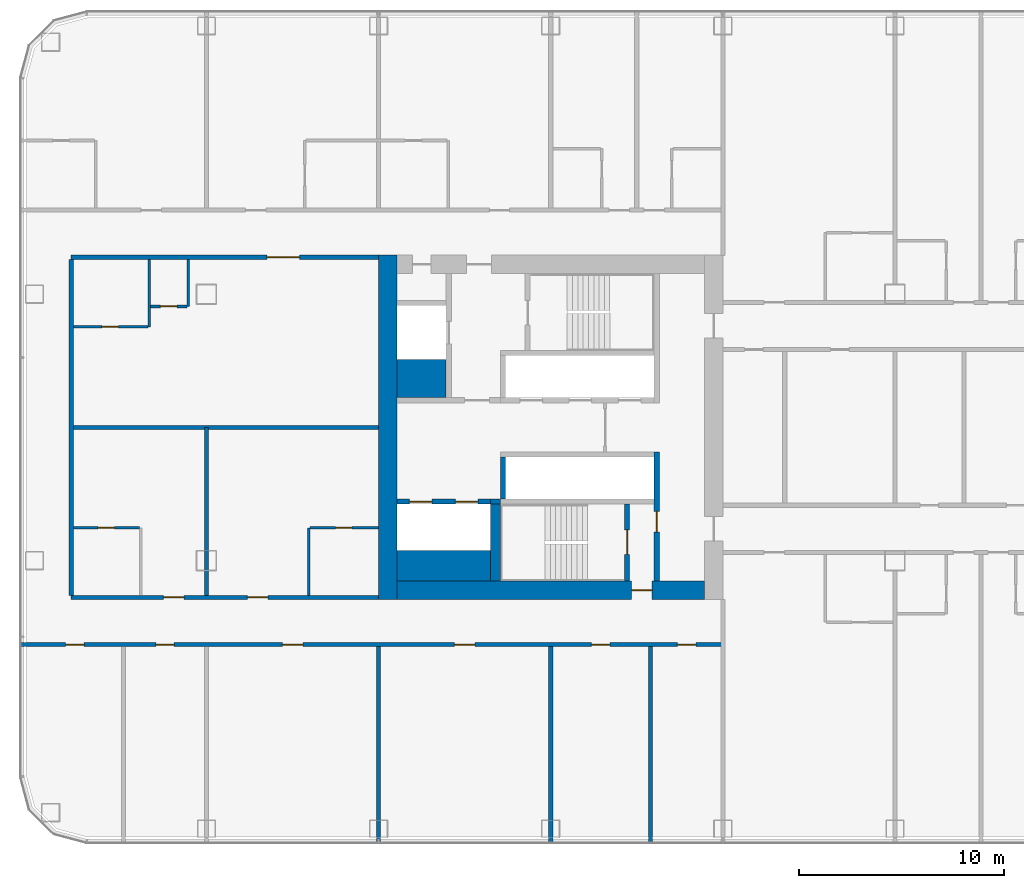
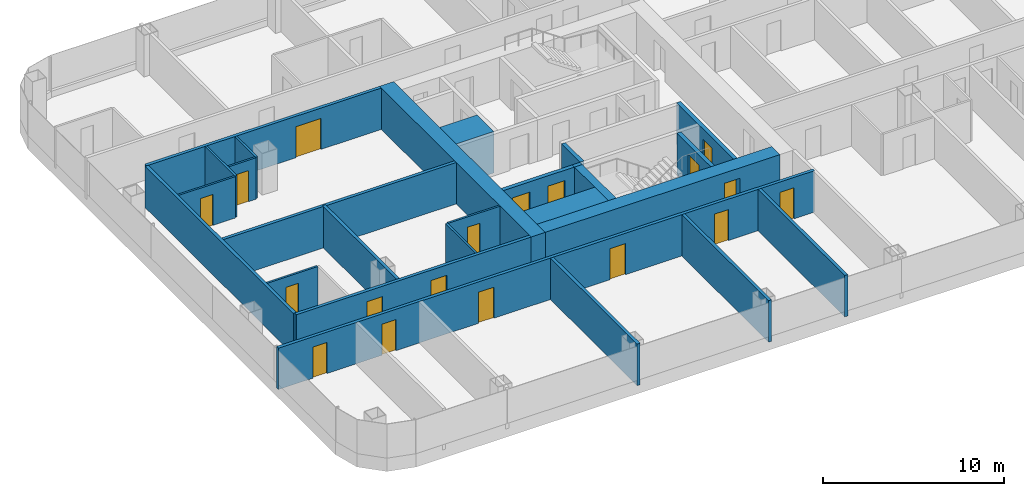
# One storey, part 13 of 28: 26 walls, 18 doors, 18 openings.
"""IFC4 building model written with IfcOpenShell, lengths in metres."""

from ifc_helpers import new_model, si_unit, direction, frame, frame_2d, origin, place, context, subcontext, project, spatial, rectangle, extrude, material, layer, layer_set, type_object, element, fill, save


model = new_model("IFC4")

# Units and contexts
model_context = context("Model", 3, precision=1e-05, world=origin(), true_north=direction((0.0, 1.0)))
body_context = subcontext(model_context, "Body", "Model", "MODEL_VIEW")
ifc_project = project(units=[si_unit("LENGTHUNIT", "METRE"), si_unit("AREAUNIT", "SQUARE_METRE"), si_unit("VOLUMEUNIT", "CUBIC_METRE"), si_unit("PLANEANGLEUNIT", "RADIAN"), si_unit("MASSUNIT", "GRAM", prefix="KILO")], contexts=[model_context])

# Site, building, storey
site_placement = place(None, origin())
site = spatial("IfcSite", under=ifc_project, at=site_placement, CompositionType="ELEMENT")
building_placement = place(site_placement, origin())
building = spatial("IfcBuilding", under=site, at=building_placement, Name="Hakoniwa Tower and Hamabe Station Hall", CompositionType="ELEMENT")
storey_placement = place(building_placement, frame((0.0, 0.0, 58.199951171875)))
storey = spatial("IfcBuildingStorey", under=building, at=storey_placement, Name="L16", CompositionType="ELEMENT", Elevation=58.199951171875)

# Wall, opening, door
ifc_material_1 = material(Name="Gypsum board partition", Category="gypsum")
ifc_layer_1 = layer(ifc_material_1, 0.125)
ifc_layer_set_1 = layer_set([ifc_layer_1], Name="Bathroom Partition 125")
wall_type_1 = type_object("IfcWallType", Name="Bathroom Partition 125", PredefinedType="PARTITIONING", material=ifc_layer_set_1)
wall_1_placement = place(storey_placement, frame((-48.5, -4.89990234375, 0.0), z_axis=(0.0, 0.0, 1.0), x_axis=(1.0, 0.0, 0.0)))
wall_1 = element("IfcWall", 1, at=wall_1_placement, inside=storey, type_object=wall_type_1, Name="GW-L16-018", PredefinedType="PARTITIONING", context=body_context, shape_type="SweptSolid", body=[
    extrude(rectangle(XDim=3.237548828125, YDim=0.125, at=frame_2d((1.61865234375, 0.0))), origin(), (0.0, 0.0, 1.0), 2.800048828125),
])
opening_1_placement = place(wall_1_placement, frame((1.199951171875, 0.0, 0.0)))
opening_1 = element("IfcOpeningElement", 2, at=opening_1_placement, cuts=wall_1, Name="Opening GD-G1C2-26", PredefinedType="OPENING", context=body_context, shape_type="SweptSolid", body=[
    extrude(rectangle(XDim=0.800048828125, YDim=2.10009765625, at=frame_2d((0.39990234375, 1.050048828125))), frame((0.0, 0.072509765625, 0.0), z_axis=(0.0, -1.0, 0.0), x_axis=(1.0, 0.0, 0.0)), (0.0, 0.0, 1.0), 0.14501953125),
])
ifc_material_2 = material(Name="Timber door leaf", Category="wood")
door_type_1 = type_object("IfcDoorType", Name="Bathroom Door 800", OperationType="SINGLE_SWING_LEFT", PredefinedType="DOOR", material=ifc_material_2)
door_1_placement = place(opening_1_placement, origin())
door_1 = element("IfcDoor", 3, at=door_1_placement, inside=storey, type_object=door_type_1, Name="Door GD-G1C2-26", OperationType="SINGLE_SWING_RIGHT", OverallHeight=2.10009765625, OverallWidth=0.800048828125, PredefinedType="DOOR", context=body_context, shape_type="SweptSolid", body=[
    extrude(rectangle(XDim=0.800048828125, YDim=2.10009765625, at=frame_2d((0.39990234375, 1.050048828125))), frame((0.0, 0.02490234375, 0.0), z_axis=(0.0, -1.0, 0.0), x_axis=(1.0, 0.0, 0.0)), (0.0, 0.0, 1.0), 0.050048828125),
])
fill(opening_1, door_1)

wall_2_placement = place(storey_placement, frame((-36.9375, -4.89990234375, 0.0), z_axis=(0.0, 0.0, 1.0), x_axis=(1.0, 0.0, 0.0)))
wall_2 = element("IfcWall", 4, at=wall_2_placement, inside=storey, type_object=wall_type_1, Name="GW-L16-019", PredefinedType="PARTITIONING", context=body_context, shape_type="SweptSolid", body=[
    extrude(rectangle(XDim=3.33740234375, YDim=0.125, at=frame_2d((1.668701171875, 0.0))), origin(), (0.0, 0.0, 1.0), 2.800048828125),
])
opening_2_placement = place(wall_2_placement, frame((1.237548828125, 0.0, 0.0)))
opening_2 = element("IfcOpeningElement", 5, at=opening_2_placement, cuts=wall_2, Name="Opening GD-G1C2-27", PredefinedType="OPENING", context=body_context, shape_type="SweptSolid", body=[
    extrude(rectangle(XDim=0.800048828125, YDim=2.10009765625, at=frame_2d((0.39990234375, 1.050048828125))), frame((0.0, 0.072509765625, 0.0), z_axis=(0.0, -1.0, 0.0), x_axis=(1.0, 0.0, 0.0)), (0.0, 0.0, 1.0), 0.14501953125),
])
door_2_placement = place(opening_2_placement, origin())
door_2 = element("IfcDoor", 6, at=door_2_placement, inside=storey, type_object=door_type_1, Name="Door GD-G1C2-27", OperationType="SINGLE_SWING_LEFT", OverallHeight=2.10009765625, OverallWidth=0.800048828125, PredefinedType="DOOR", context=body_context, shape_type="SweptSolid", body=[
    extrude(rectangle(XDim=0.800048828125, YDim=2.10009765625, at=frame_2d((0.39990234375, 1.050048828125))), frame((0.0, 0.02490234375, 0.0), z_axis=(0.0, -1.0, 0.0), x_axis=(1.0, 0.0, 0.0)), (0.0, 0.0, 1.0), 0.050048828125),
])
fill(opening_2, door_2)

wall_3_placement = place(storey_placement, frame((-48.5, 4.89990234375, 0.0), z_axis=(0.0, 0.0, 1.0), x_axis=(1.0, 0.0, 0.0)))
wall_3 = element("IfcWall", 7, at=wall_3_placement, inside=storey, type_object=wall_type_1, Name="GW-L16-025", PredefinedType="PARTITIONING", context=body_context, shape_type="SweptSolid", body=[
    extrude(rectangle(XDim=3.637451171875, YDim=0.125, at=frame_2d((1.81884765625, 0.0))), origin(), (0.0, 0.0, 1.0), 2.800048828125),
])
opening_3_placement = place(wall_3_placement, frame((1.39990234375, 0.0, 0.0)))
opening_3 = element("IfcOpeningElement", 8, at=opening_3_placement, cuts=wall_3, Name="Opening GD-G1C2-37", PredefinedType="OPENING", context=body_context, shape_type="SweptSolid", body=[
    extrude(rectangle(XDim=0.800048828125, YDim=2.10009765625, at=frame_2d((0.39990234375, 1.050048828125))), frame((0.0, 0.072509765625, 0.0), z_axis=(0.0, -1.0, 0.0), x_axis=(1.0, 0.0, 0.0)), (0.0, 0.0, 1.0), 0.14501953125),
])
door_3_placement = place(opening_3_placement, origin())
door_3 = element("IfcDoor", 9, at=door_3_placement, inside=storey, type_object=door_type_1, Name="Door GD-G1C2-37", OperationType="SINGLE_SWING_LEFT", OverallHeight=2.10009765625, OverallWidth=0.800048828125, PredefinedType="DOOR", context=body_context, shape_type="SweptSolid", body=[
    extrude(rectangle(XDim=0.800048828125, YDim=2.10009765625, at=frame_2d((0.39990234375, 1.050048828125))), frame((0.0, 0.02490234375, 0.0), z_axis=(0.0, -1.0, 0.0), x_axis=(1.0, 0.0, 0.0)), (0.0, 0.0, 1.0), 0.050048828125),
])
fill(opening_3, door_3)

wall_4_placement = place(storey_placement, frame((-44.737548828125, 5.89990234375, 0.0), z_axis=(0.0, 0.0, 1.0), x_axis=(1.0, 0.0, 0.0)))
wall_4 = element("IfcWall", 10, at=wall_4_placement, inside=storey, type_object=wall_type_1, Name="GW-L16-027", PredefinedType="PARTITIONING", context=body_context, shape_type="SweptSolid", body=[
    extrude(rectangle(XDim=1.775146484375, YDim=0.125, at=frame_2d((0.8876953125, 0.0))), origin(), (0.0, 0.0, 1.0), 2.800048828125),
])
opening_4_placement = place(wall_4_placement, frame((0.487548828125, 0.0, 0.0)))
opening_4 = element("IfcOpeningElement", 11, at=opening_4_placement, cuts=wall_4, Name="Opening GD-G1C2-40", PredefinedType="OPENING", context=body_context, shape_type="SweptSolid", body=[
    extrude(rectangle(XDim=0.800048828125, YDim=2.10009765625, at=frame_2d((0.39990234375, 1.050048828125))), frame((0.0, 0.072509765625, 0.0), z_axis=(0.0, -1.0, 0.0), x_axis=(1.0, 0.0, 0.0)), (0.0, 0.0, 1.0), 0.14501953125),
])
door_4_placement = place(opening_4_placement, origin())
door_4 = element("IfcDoor", 12, at=door_4_placement, inside=storey, type_object=door_type_1, Name="Door GD-G1C2-40", OperationType="SINGLE_SWING_LEFT", OverallHeight=2.10009765625, OverallWidth=0.800048828125, PredefinedType="DOOR", context=body_context, shape_type="SweptSolid", body=[
    extrude(rectangle(XDim=0.800048828125, YDim=2.10009765625, at=frame_2d((0.39990234375, 1.050048828125))), frame((0.0, 0.02490234375, 0.0), z_axis=(0.0, -1.0, 0.0), x_axis=(1.0, 0.0, 0.0)), (0.0, 0.0, 1.0), 0.050048828125),
])
fill(opening_4, door_4)

# Walls
wall_5_placement = place(storey_placement, frame((-44.800048828125, 4.89990234375, 0.0), z_axis=(0.0, 0.0, 1.0), x_axis=(0.0, 1.0, 0.0)))
element("IfcWall", 13, at=wall_5_placement, inside=storey, type_object=wall_type_1, Name="GW-L16-052", PredefinedType="PARTITIONING", context=body_context, shape_type="SweptSolid", body=[
    extrude(rectangle(XDim=3.300048828125, YDim=0.125, at=frame_2d((1.64990234375, 0.0))), origin(), (0.0, 0.0, 1.0), 2.800048828125),
])
wall_6_placement = place(storey_placement, frame((-42.89990234375, 5.89990234375, 0.0), z_axis=(0.0, 0.0, 1.0), x_axis=(0.0, 1.0, 0.0)))
element("IfcWall", 14, at=wall_6_placement, inside=storey, type_object=wall_type_1, Name="GW-L16-053", PredefinedType="PARTITIONING", context=body_context, shape_type="SweptSolid", body=[
    extrude(rectangle(XDim=2.300048828125, YDim=0.125, at=frame_2d((1.14990234375, 0.0))), origin(), (0.0, 0.0, 1.0), 2.800048828125),
])
wall_7_placement = place(storey_placement, frame((-37.0, -8.199951171875, 0.0), z_axis=(0.0, 0.0, 1.0), x_axis=(0.0, 1.0, 0.0)))
element("IfcWall", 15, at=wall_7_placement, inside=storey, type_object=wall_type_1, Name="GW-L16-058", PredefinedType="PARTITIONING", context=body_context, shape_type="SweptSolid", body=[
    extrude(rectangle(XDim=3.300048828125, YDim=0.125, at=frame_2d((1.64990234375, 0.0))), origin(), (0.0, 0.0, 1.0), 2.800048828125),
])
ifc_material_3 = material(Name="Concrete C80", Category="concrete")
ifc_layer_2 = layer(ifc_material_3, 0.89990234375)
ifc_layer_set_2 = layer_set([ifc_layer_2], Name="CORE WALL 900 C80")
wall_type_2 = type_object("IfcWallType", Name="CORE WALL 900 C80", PredefinedType="SHEAR", material=ifc_layer_set_2)
wall_8_placement = place(storey_placement, frame((-33.14990234375, -8.39990234375, 0.0), z_axis=(0.0, 0.0, 1.0), x_axis=(0.0, 1.0, 0.0)))
element("IfcWall", 16, at=wall_8_placement, inside=storey, type_object=wall_type_2, Name="Core wall OUTER west", PredefinedType="SHEAR", context=body_context, shape_type="SweptSolid", body=[
    extrude(rectangle(XDim=16.7998046875, YDim=0.89990234375, at=frame_2d((8.39990234375, 0.0))), origin(), (0.0, 0.0, 1.0), 2.800048828125),
])

# Wall, opening, door
wall_9_placement = place(storey_placement, frame((-32.699951171875, -7.949951171875, 0.0), z_axis=(0.0, 0.0, 1.0), x_axis=(1.0, 0.0, 0.0)))
wall_9 = element("IfcWall", 17, at=wall_9_placement, inside=storey, type_object=wall_type_2, Name="Core wall SOUTH west", PredefinedType="SHEAR", context=body_context, shape_type="SweptSolid", body=[
    extrude(rectangle(XDim=15.0, YDim=0.89990234375, at=frame_2d((7.5, 0.0))), origin(), (0.0, 0.0, 1.0), 2.800048828125),
])
opening_5_placement = place(wall_9_placement, frame((11.449951171875, 0.0, 0.0)))
opening_5 = element("IfcOpeningElement", 18, at=opening_5_placement, cuts=wall_9, Name="Opening CD-W-FS3-10", PredefinedType="OPENING", context=body_context, shape_type="SweptSolid", body=[
    extrude(rectangle(XDim=1.0, YDim=2.10009765625, at=frame_2d((0.5, 1.050048828125))), frame((0.0, 0.4599609375, 0.0), z_axis=(0.0, -1.0, 0.0), x_axis=(1.0, 0.0, 0.0)), (0.0, 0.0, 1.0), 0.919921875),
])
ifc_material_4 = material(Name="Steel fire door", Category="steel")
door_type_2 = type_object("IfcDoorType", Name="CORE DOOR 1000 FD60", OperationType="NOTDEFINED", PredefinedType="DOOR", material=ifc_material_4)
door_5_placement = place(opening_5_placement, origin())
door_5 = element("IfcDoor", 19, at=door_5_placement, inside=storey, type_object=door_type_2, Name="Stair vestibule door", OperationType="SINGLE_SWING_LEFT", OverallHeight=2.10009765625, OverallWidth=1.0, PredefinedType="DOOR", context=body_context, shape_type="SweptSolid", body=[
    extrude(rectangle(XDim=1.0, YDim=2.10009765625, at=frame_2d((0.5, 1.050048828125))), frame((0.0, 0.02490234375, 0.0), z_axis=(0.0, -1.0, 0.0), x_axis=(1.0, 0.0, 0.0)), (0.0, 0.0, 1.0), 0.050048828125),
])
fill(opening_5, door_5)

# Walls
ifc_material_5 = material(Name="Concrete C80", Category="concrete")
ifc_layer_3 = layer(ifc_material_5, 1.5)
ifc_layer_set_3 = layer_set([ifc_layer_3], Name="CORE WEB WALL 1500 C80")
wall_type_3 = type_object("IfcWallType", Name="CORE WEB WALL 1500 C80", PredefinedType="SHEAR", material=ifc_layer_set_3)
wall_10_placement = place(storey_placement, frame((-32.699951171875, -6.75, 0.0), z_axis=(0.0, 0.0, 1.0), x_axis=(1.0, 0.0, 0.0)))
element("IfcWall", 20, at=wall_10_placement, inside=storey, type_object=wall_type_3, Name="Core wall SER west", PredefinedType="SHEAR", context=body_context, shape_type="SweptSolid", body=[
    extrude(rectangle(XDim=4.550048828125, YDim=1.5, at=frame_2d((2.27490234375, 0.0))), origin(), (0.0, 0.0, 1.0), 2.800048828125),
])
ifc_material_6 = material(Name="Concrete C80", Category="concrete")
ifc_layer_4 = layer(ifc_material_6, 1.85009765625)
ifc_layer_set_4 = layer_set([ifc_layer_4], Name="CORE WEB WALL 1850 C80")
wall_type_4 = type_object("IfcWallType", Name="CORE WEB WALL 1850 C80", PredefinedType="SHEAR", material=ifc_layer_set_4)
wall_11_placement = place(storey_placement, frame((-32.699951171875, 2.375, 0.0), z_axis=(0.0, 0.0, 1.0), x_axis=(1.0, 0.0, 0.0)))
element("IfcWall", 21, at=wall_11_placement, inside=storey, type_object=wall_type_4, Name="Core wall CA west", PredefinedType="SHEAR", context=body_context, shape_type="SweptSolid", body=[
    extrude(rectangle(XDim=2.39990234375, YDim=1.85009765625, at=frame_2d((1.199951171875, 0.0))), origin(), (0.0, 0.0, 1.0), 2.800048828125),
])

# Wall, opening, door
ifc_material_7 = material(Name="Concrete C80", Category="concrete")
ifc_layer_5 = layer(ifc_material_7, 0.25)
ifc_layer_set_5 = layer_set([ifc_layer_5], Name="CORE WEB WALL 250 C80")
wall_type_5 = type_object("IfcWallType", Name="CORE WEB WALL 250 C80", PredefinedType="SHEAR", material=ifc_layer_set_5)
wall_12_placement = place(storey_placement, frame((-20.02490234375, -7.5, 0.0), z_axis=(0.0, 0.0, 1.0), x_axis=(0.0, 1.0, 0.0)))
wall_12 = element("IfcWall", 22, at=wall_12_placement, inside=storey, type_object=wall_type_5, Name="Core wall W1S west", PredefinedType="SHEAR", context=body_context, shape_type="SweptSolid", body=[
    extrude(rectangle(XDim=6.300048828125, YDim=0.25, at=frame_2d((3.14990234375, 0.0))), origin(), (0.0, 0.0, 1.0), 2.800048828125),
])
opening_6_placement = place(wall_12_placement, frame((2.39990234375, 0.0, 0.0)))
opening_6 = element("IfcOpeningElement", 23, at=opening_6_placement, cuts=wall_12, Name="Opening CD-W-VS-10", PredefinedType="OPENING", context=body_context, shape_type="SweptSolid", body=[
    extrude(rectangle(XDim=1.0, YDim=2.10009765625, at=frame_2d((0.5, 1.050048828125))), frame((0.0, 0.135009765625, 0.0), z_axis=(0.0, -1.0, 0.0), x_axis=(1.0, 0.0, 0.0)), (0.0, 0.0, 1.0), 0.27001953125),
])
door_6_placement = place(opening_6_placement, origin())
door_6 = element("IfcDoor", 24, at=door_6_placement, inside=storey, type_object=door_type_2, Name="Stair vestibule door", OperationType="SINGLE_SWING_LEFT", OverallHeight=2.10009765625, OverallWidth=1.0, PredefinedType="DOOR", context=body_context, shape_type="SweptSolid", body=[
    extrude(rectangle(XDim=1.0, YDim=2.10009765625, at=frame_2d((0.5, 1.050048828125))), frame((0.0, 0.02490234375, 0.0), z_axis=(0.0, -1.0, 0.0), x_axis=(1.0, 0.0, 0.0)), (0.0, 0.0, 1.0), 0.050048828125),
])
fill(opening_6, door_6)

# Wall
wall_13_placement = place(storey_placement, frame((-27.52490234375, -3.5, 0.0), z_axis=(0.0, 0.0, 1.0), x_axis=(0.0, 1.0, 0.0)))
element("IfcWall", 25, at=wall_13_placement, inside=storey, type_object=wall_type_5, Name="Core wall SE west", PredefinedType="SHEAR", context=body_context, shape_type="SweptSolid", body=[
    extrude(rectangle(XDim=2.050048828125, YDim=0.25, at=frame_2d((1.02490234375, 0.0))), origin(), (0.0, 0.0, 1.0), 2.800048828125),
])

# Wall, opening, door
wall_14_placement = place(storey_placement, frame((-21.47509765625, -7.5, 0.0), z_axis=(0.0, 0.0, 1.0), x_axis=(0.0, 1.0, 0.0)))
wall_14 = element("IfcWall", 26, at=wall_14_placement, inside=storey, type_object=wall_type_5, Name="Core wall VE west", PredefinedType="SHEAR", context=body_context, shape_type="SweptSolid", body=[
    extrude(rectangle(XDim=3.75, YDim=0.25, at=frame_2d((1.875, 0.0))), origin(), (0.0, 0.0, 1.0), 2.800048828125),
])
opening_7_placement = place(wall_14_placement, frame((1.300048828125, 0.0, 0.0)))
opening_7 = element("IfcOpeningElement", 27, at=opening_7_placement, cuts=wall_14, Name="Opening CD-W-SS-12", PredefinedType="OPENING", context=body_context, shape_type="SweptSolid", body=[
    extrude(rectangle(XDim=1.199951171875, YDim=2.10009765625, at=frame_2d((0.60009765625, 1.050048828125))), frame((0.0, 0.135009765625, 0.0), z_axis=(0.0, -1.0, 0.0), x_axis=(1.0, 0.0, 0.0)), (0.0, 0.0, 1.0), 0.27001953125),
])
ifc_material_8 = material(Name="Steel fire door", Category="steel")
door_type_3 = type_object("IfcDoorType", Name="CORE DOOR 1200 FD60", OperationType="DOUBLE_DOOR_SINGLE_SWING", PredefinedType="DOOR", material=ifc_material_8)
door_7_placement = place(opening_7_placement, origin())
door_7 = element("IfcDoor", 28, at=door_7_placement, inside=storey, type_object=door_type_3, Name="Escape stair door", OperationType="DOUBLE_DOOR_SINGLE_SWING", OverallHeight=2.10009765625, OverallWidth=1.199951171875, PredefinedType="DOOR", context=body_context, shape_type="SweptSolid", body=[
    extrude(rectangle(XDim=1.199951171875, YDim=2.10009765625, at=frame_2d((0.60009765625, 1.050048828125))), frame((0.0, 0.02490234375, 0.0), z_axis=(0.0, -1.0, 0.0), x_axis=(1.0, 0.0, 0.0)), (0.0, 0.0, 1.0), 0.050048828125),
])
fill(opening_7, door_7)

# Wall, openings, doors
wall_15_placement = place(storey_placement, frame((-32.699951171875, -3.625, 0.0), z_axis=(0.0, 0.0, 1.0), x_axis=(1.0, 0.0, 0.0)))
wall_15 = element("IfcWall", 29, at=wall_15_placement, inside=storey, type_object=wall_type_5, Name="Core wall SEF west", PredefinedType="SHEAR", context=body_context, shape_type="SweptSolid", body=[
    extrude(rectangle(XDim=4.550048828125, YDim=0.25, at=frame_2d((2.27490234375, 0.0))), origin(), (0.0, 0.0, 1.0), 2.800048828125),
])
opening_8_placement = place(wall_15_placement, frame((2.85009765625, 0.0, 0.0)))
opening_8 = element("IfcOpeningElement", 30, at=opening_8_placement, cuts=wall_15, Name="Opening LD-SV1", PredefinedType="OPENING", context=body_context, shape_type="SweptSolid", body=[
    extrude(rectangle(XDim=1.10009765625, YDim=2.10009765625, at=frame_2d((0.550048828125, 1.050048828125))), frame((0.0, 0.135009765625, 0.0), z_axis=(0.0, -1.0, 0.0), x_axis=(1.0, 0.0, 0.0)), (0.0, 0.0, 1.0), 0.27001953125),
])
opening_9_placement = place(wall_15_placement, frame((0.60009765625, 0.0, 0.0)))
opening_9 = element("IfcOpeningElement", 31, at=opening_9_placement, cuts=wall_15, Name="Opening LD-SV2", PredefinedType="OPENING", context=body_context, shape_type="SweptSolid", body=[
    extrude(rectangle(XDim=1.10009765625, YDim=2.10009765625, at=frame_2d((0.550048828125, 1.050048828125))), frame((0.0, 0.135009765625, 0.0), z_axis=(0.0, -1.0, 0.0), x_axis=(1.0, 0.0, 0.0)), (0.0, 0.0, 1.0), 0.27001953125),
])
ifc_material_9 = material(Name="Stainless steel SUS304", Category="steel")
door_type_4 = type_object("IfcDoorType", Name="LIFT LANDING DOOR 1100 FD60", OperationType="DOUBLE_DOOR_SLIDING", PredefinedType="DOOR", material=ifc_material_9)
door_8_placement = place(opening_8_placement, origin())
door_8 = element("IfcDoor", 32, at=door_8_placement, inside=storey, type_object=door_type_4, Name="Lift landing door SV1 L16", OperationType="DOUBLE_DOOR_SLIDING", OverallHeight=2.10009765625, OverallWidth=1.10009765625, PredefinedType="DOOR", context=body_context, shape_type="SweptSolid", body=[
    extrude(rectangle(XDim=1.10009765625, YDim=2.10009765625, at=frame_2d((0.550048828125, 1.050048828125))), frame((0.0, 0.02490234375, 0.0), z_axis=(0.0, -1.0, 0.0), x_axis=(1.0, 0.0, 0.0)), (0.0, 0.0, 1.0), 0.050048828125),
])
fill(opening_8, door_8)
door_9_placement = place(opening_9_placement, origin())
door_9 = element("IfcDoor", 33, at=door_9_placement, inside=storey, type_object=door_type_4, Name="Lift landing door SV2 L16", OperationType="DOUBLE_DOOR_SLIDING", OverallHeight=2.10009765625, OverallWidth=1.10009765625, PredefinedType="DOOR", context=body_context, shape_type="SweptSolid", body=[
    extrude(rectangle(XDim=1.10009765625, YDim=2.10009765625, at=frame_2d((0.550048828125, 1.050048828125))), frame((0.0, 0.02490234375, 0.0), z_axis=(0.0, -1.0, 0.0), x_axis=(1.0, 0.0, 0.0)), (0.0, 0.0, 1.0), 0.050048828125),
])
fill(opening_9, door_9)

# Walls
wall_16_placement = place(storey_placement, frame((-28.14990234375, -3.625, 0.0), z_axis=(0.0, 0.0, 1.0), x_axis=(1.0, 0.0, 0.0)))
element("IfcWall", 34, at=wall_16_placement, inside=storey, type_object=wall_type_5, Name="Core wall SRK west", PredefinedType="SHEAR", context=body_context, shape_type="SweptSolid", body=[
    extrude(rectangle(XDim=0.5, YDim=0.25, at=frame_2d((0.25, 0.0))), origin(), (0.0, 0.0, 1.0), 2.800048828125),
])
ifc_material_10 = material(Name="Concrete C80", Category="concrete")
ifc_layer_6 = layer(ifc_material_10, 0.5)
ifc_layer_set_6 = layer_set([ifc_layer_6], Name="CORE WEB WALL 500 C80")
wall_type_6 = type_object("IfcWallType", Name="CORE WEB WALL 500 C80", PredefinedType="SHEAR", material=ifc_layer_set_6)
wall_17_placement = place(storey_placement, frame((-27.89990234375, -7.5, 0.0), z_axis=(0.0, 0.0, 1.0), x_axis=(0.0, 1.0, 0.0)))
element("IfcWall", 35, at=wall_17_placement, inside=storey, type_object=wall_type_6, Name="Core wall SSE west", PredefinedType="SHEAR", context=body_context, shape_type="SweptSolid", body=[
    extrude(rectangle(XDim=3.75, YDim=0.5, at=frame_2d((1.875, 0.0))), origin(), (0.0, 0.0, 1.0), 2.800048828125),
])

# Wall, openings, doors
ifc_material_11 = material(Name="Fire-rated gypsum board partition", Category="gypsum")
ifc_layer_7 = layer(ifc_material_11, 0.199951171875)
ifc_layer_set_7 = layer_set([ifc_layer_7], Name="Corridor Wall 200")
wall_type_7 = type_object("IfcWallType", Name="Corridor Wall 200", PredefinedType="PARTITIONING", material=ifc_layer_set_7)
wall_18_placement = place(storey_placement, frame((-51.10009765625, -10.60009765625, 0.0), z_axis=(0.0, 0.0, 1.0), x_axis=(1.0, 0.0, 0.0)))
wall_18 = element("IfcWall", 36, at=wall_18_placement, inside=storey, type_object=wall_type_7, Name="GW-L16-007", PredefinedType="PARTITIONING", context=body_context, shape_type="SweptSolid", body=[
    extrude(rectangle(XDim=34.300048828125, YDim=0.199951171875, at=frame_2d((17.14990234375, 0.0))), origin(), (0.0, 0.0, 1.0), 2.800048828125),
])
opening_10_placement = place(wall_18_placement, frame((2.22509765625, 0.0, 0.0)))
opening_10 = element("IfcOpeningElement", 37, at=opening_10_placement, cuts=wall_18, Name="Opening GD-G1C2-02", PredefinedType="OPENING", context=body_context, shape_type="SweptSolid", body=[
    extrude(rectangle(XDim=0.89990234375, YDim=2.10009765625, at=frame_2d((0.449951171875, 1.050048828125))), frame((0.0, 0.10986328125, 0.0), z_axis=(0.0, -1.0, 0.0), x_axis=(1.0, 0.0, 0.0)), (0.0, 0.0, 1.0), 0.219970703125),
])
opening_11_placement = place(wall_18_placement, frame((6.625, 0.0, 0.0)))
opening_11 = element("IfcOpeningElement", 38, at=opening_11_placement, cuts=wall_18, Name="Opening GD-G1C2-03", PredefinedType="OPENING", context=body_context, shape_type="SweptSolid", body=[
    extrude(rectangle(XDim=0.89990234375, YDim=2.10009765625, at=frame_2d((0.449951171875, 1.050048828125))), frame((0.0, 0.10986328125, 0.0), z_axis=(0.0, -1.0, 0.0), x_axis=(1.0, 0.0, 0.0)), (0.0, 0.0, 1.0), 0.219970703125),
])
opening_12_placement = place(wall_18_placement, frame((12.800048828125, 0.0, 0.0)))
opening_12 = element("IfcOpeningElement", 39, at=opening_12_placement, cuts=wall_18, Name="Opening GD-G1C2-04", PredefinedType="OPENING", context=body_context, shape_type="SweptSolid", body=[
    extrude(rectangle(XDim=1.0, YDim=2.10009765625, at=frame_2d((0.5, 1.050048828125))), frame((0.0, 0.10986328125, 0.0), z_axis=(0.0, -1.0, 0.0), x_axis=(1.0, 0.0, 0.0)), (0.0, 0.0, 1.0), 0.219970703125),
])
opening_13_placement = place(wall_18_placement, frame((21.199951171875, 0.0, 0.0)))
opening_13 = element("IfcOpeningElement", 40, at=opening_13_placement, cuts=wall_18, Name="Opening GD-G1C2-05", PredefinedType="OPENING", context=body_context, shape_type="SweptSolid", body=[
    extrude(rectangle(XDim=1.0, YDim=2.10009765625, at=frame_2d((0.5, 1.050048828125))), frame((0.0, 0.10986328125, 0.0), z_axis=(0.0, -1.0, 0.0), x_axis=(1.0, 0.0, 0.0)), (0.0, 0.0, 1.0), 0.219970703125),
])
opening_14_placement = place(wall_18_placement, frame((27.885009765625, 0.0, 0.0)))
opening_14 = element("IfcOpeningElement", 41, at=opening_14_placement, cuts=wall_18, Name="Opening GD-G1C2-06", PredefinedType="OPENING", context=body_context, shape_type="SweptSolid", body=[
    extrude(rectangle(XDim=0.89990234375, YDim=2.10009765625, at=frame_2d((0.449951171875, 1.050048828125))), frame((0.0, 0.10986328125, 0.0), z_axis=(0.0, -1.0, 0.0), x_axis=(1.0, 0.0, 0.0)), (0.0, 0.0, 1.0), 0.219970703125),
])
opening_15_placement = place(wall_18_placement, frame((32.0849609375, 0.0, 0.0)))
opening_15 = element("IfcOpeningElement", 42, at=opening_15_placement, cuts=wall_18, Name="Opening GD-G1C2-07", PredefinedType="OPENING", context=body_context, shape_type="SweptSolid", body=[
    extrude(rectangle(XDim=0.89990234375, YDim=2.10009765625, at=frame_2d((0.449951171875, 1.050048828125))), frame((0.0, 0.10986328125, 0.0), z_axis=(0.0, -1.0, 0.0), x_axis=(1.0, 0.0, 0.0)), (0.0, 0.0, 1.0), 0.219970703125),
])
ifc_material_12 = material(Name="Timber door leaf", Category="wood")
door_type_5 = type_object("IfcDoorType", Name="Guest Entrance Door 1000", OperationType="SINGLE_SWING_LEFT", PredefinedType="DOOR", material=ifc_material_12)
door_10_placement = place(opening_12_placement, origin())
door_10 = element("IfcDoor", 43, at=door_10_placement, inside=storey, type_object=door_type_5, Name="Door GD-G1C2-04", OperationType="SINGLE_SWING_RIGHT", OverallHeight=2.10009765625, OverallWidth=1.0, PredefinedType="DOOR", context=body_context, shape_type="SweptSolid", body=[
    extrude(rectangle(XDim=1.0, YDim=2.10009765625, at=frame_2d((0.5, 1.050048828125))), frame((0.0, 0.02490234375, 0.0), z_axis=(0.0, -1.0, 0.0), x_axis=(1.0, 0.0, 0.0)), (0.0, 0.0, 1.0), 0.050048828125),
])
fill(opening_12, door_10)
door_11_placement = place(opening_13_placement, origin())
door_11 = element("IfcDoor", 44, at=door_11_placement, inside=storey, type_object=door_type_5, Name="Door GD-G1C2-05", OperationType="SINGLE_SWING_LEFT", OverallHeight=2.10009765625, OverallWidth=1.0, PredefinedType="DOOR", context=body_context, shape_type="SweptSolid", body=[
    extrude(rectangle(XDim=1.0, YDim=2.10009765625, at=frame_2d((0.5, 1.050048828125))), frame((0.0, 0.02490234375, 0.0), z_axis=(0.0, -1.0, 0.0), x_axis=(1.0, 0.0, 0.0)), (0.0, 0.0, 1.0), 0.050048828125),
])
fill(opening_13, door_11)
ifc_material_13 = material(Name="Timber door leaf", Category="wood")
door_type_6 = type_object("IfcDoorType", Name="Service Door 900", OperationType="SINGLE_SWING_LEFT", PredefinedType="DOOR", material=ifc_material_13)
door_12_placement = place(opening_10_placement, origin())
door_12 = element("IfcDoor", 45, at=door_12_placement, inside=storey, type_object=door_type_6, Name="Door GD-G1C2-02", OperationType="SINGLE_SWING_RIGHT", OverallHeight=2.10009765625, OverallWidth=0.89990234375, PredefinedType="DOOR", context=body_context, shape_type="SweptSolid", body=[
    extrude(rectangle(XDim=0.89990234375, YDim=2.10009765625, at=frame_2d((0.449951171875, 1.050048828125))), frame((0.0, 0.02490234375, 0.0), z_axis=(0.0, -1.0, 0.0), x_axis=(1.0, 0.0, 0.0)), (0.0, 0.0, 1.0), 0.050048828125),
])
fill(opening_10, door_12)
door_13_placement = place(opening_11_placement, origin())
door_13 = element("IfcDoor", 46, at=door_13_placement, inside=storey, type_object=door_type_6, Name="Door GD-G1C2-03", OperationType="SINGLE_SWING_LEFT", OverallHeight=2.10009765625, OverallWidth=0.89990234375, PredefinedType="DOOR", context=body_context, shape_type="SweptSolid", body=[
    extrude(rectangle(XDim=0.89990234375, YDim=2.10009765625, at=frame_2d((0.449951171875, 1.050048828125))), frame((0.0, 0.02490234375, 0.0), z_axis=(0.0, -1.0, 0.0), x_axis=(1.0, 0.0, 0.0)), (0.0, 0.0, 1.0), 0.050048828125),
])
fill(opening_11, door_13)
door_14_placement = place(opening_14_placement, origin())
door_14 = element("IfcDoor", 47, at=door_14_placement, inside=storey, type_object=door_type_6, Name="Door GD-G1C2-06", OperationType="SINGLE_SWING_RIGHT", OverallHeight=2.10009765625, OverallWidth=0.89990234375, PredefinedType="DOOR", context=body_context, shape_type="SweptSolid", body=[
    extrude(rectangle(XDim=0.89990234375, YDim=2.10009765625, at=frame_2d((0.449951171875, 1.050048828125))), frame((0.0, 0.02490234375, 0.0), z_axis=(0.0, -1.0, 0.0), x_axis=(1.0, 0.0, 0.0)), (0.0, 0.0, 1.0), 0.050048828125),
])
fill(opening_14, door_14)
door_15_placement = place(opening_15_placement, origin())
door_15 = element("IfcDoor", 48, at=door_15_placement, inside=storey, type_object=door_type_6, Name="Door GD-G1C2-07", OperationType="SINGLE_SWING_LEFT", OverallHeight=2.10009765625, OverallWidth=0.89990234375, PredefinedType="DOOR", context=body_context, shape_type="SweptSolid", body=[
    extrude(rectangle(XDim=0.89990234375, YDim=2.10009765625, at=frame_2d((0.449951171875, 1.050048828125))), frame((0.0, 0.02490234375, 0.0), z_axis=(0.0, -1.0, 0.0), x_axis=(1.0, 0.0, 0.0)), (0.0, 0.0, 1.0), 0.050048828125),
])
fill(opening_15, door_15)

wall_19_placement = place(storey_placement, frame((-48.60009765625, -8.300048828125, 0.0), z_axis=(0.0, 0.0, 1.0), x_axis=(1.0, 0.0, 0.0)))
wall_19 = element("IfcWall", 49, at=wall_19_placement, inside=storey, type_object=wall_type_7, Name="GW-L16-014", PredefinedType="PARTITIONING", context=body_context, shape_type="SweptSolid", body=[
    extrude(rectangle(XDim=15.0, YDim=0.199951171875, at=frame_2d((7.5, 0.0))), origin(), (0.0, 0.0, 1.0), 2.800048828125),
])
opening_16_placement = place(wall_19_placement, frame((4.5, 0.0, 0.0)))
opening_16 = element("IfcOpeningElement", 50, at=opening_16_placement, cuts=wall_19, Name="Opening GD-G1C2-15", PredefinedType="OPENING", context=body_context, shape_type="SweptSolid", body=[
    extrude(rectangle(XDim=1.0, YDim=2.10009765625, at=frame_2d((0.5, 1.050048828125))), frame((0.0, 0.10986328125, 0.0), z_axis=(0.0, -1.0, 0.0), x_axis=(1.0, 0.0, 0.0)), (0.0, 0.0, 1.0), 0.219970703125),
])
opening_17_placement = place(wall_19_placement, frame((8.60009765625, 0.0, 0.0)))
opening_17 = element("IfcOpeningElement", 51, at=opening_17_placement, cuts=wall_19, Name="Opening GD-G1C2-16", PredefinedType="OPENING", context=body_context, shape_type="SweptSolid", body=[
    extrude(rectangle(XDim=1.0, YDim=2.10009765625, at=frame_2d((0.5, 1.050048828125))), frame((0.0, 0.10986328125, 0.0), z_axis=(0.0, -1.0, 0.0), x_axis=(1.0, 0.0, 0.0)), (0.0, 0.0, 1.0), 0.219970703125),
])
door_16_placement = place(opening_16_placement, origin())
door_16 = element("IfcDoor", 52, at=door_16_placement, inside=storey, type_object=door_type_5, Name="Door GD-G1C2-15", OperationType="SINGLE_SWING_LEFT", OverallHeight=2.10009765625, OverallWidth=1.0, PredefinedType="DOOR", context=body_context, shape_type="SweptSolid", body=[
    extrude(rectangle(XDim=1.0, YDim=2.10009765625, at=frame_2d((0.5, 1.050048828125))), frame((0.0, 0.02490234375, 0.0), z_axis=(0.0, -1.0, 0.0), x_axis=(1.0, 0.0, 0.0)), (0.0, 0.0, 1.0), 0.050048828125),
])
fill(opening_16, door_16)
door_17_placement = place(opening_17_placement, origin())
door_17 = element("IfcDoor", 53, at=door_17_placement, inside=storey, type_object=door_type_5, Name="Door GD-G1C2-16", OperationType="SINGLE_SWING_RIGHT", OverallHeight=2.10009765625, OverallWidth=1.0, PredefinedType="DOOR", context=body_context, shape_type="SweptSolid", body=[
    extrude(rectangle(XDim=1.0, YDim=2.10009765625, at=frame_2d((0.5, 1.050048828125))), frame((0.0, 0.02490234375, 0.0), z_axis=(0.0, -1.0, 0.0), x_axis=(1.0, 0.0, 0.0)), (0.0, 0.0, 1.0), 0.050048828125),
])
fill(opening_17, door_17)

# Wall, opening, door
wall_20_placement = place(storey_placement, frame((-48.60009765625, 8.300048828125, 0.0), z_axis=(0.0, 0.0, 1.0), x_axis=(1.0, 0.0, 0.0)))
wall_20 = element("IfcWall", 54, at=wall_20_placement, inside=storey, type_object=wall_type_7, Name="GW-L16-029", PredefinedType="PARTITIONING", context=body_context, shape_type="SweptSolid", body=[
    extrude(rectangle(XDim=15.0, YDim=0.199951171875, at=frame_2d((7.5, 0.0))), origin(), (0.0, 0.0, 1.0), 2.800048828125),
])
opening_18_placement = place(wall_20_placement, frame((9.550048828125, 0.0, 0.0)))
opening_18 = element("IfcOpeningElement", 55, at=opening_18_placement, cuts=wall_20, Name="Opening GD-G1C2-47", PredefinedType="OPENING", context=body_context, shape_type="SweptSolid", body=[
    extrude(rectangle(XDim=1.60009765625, YDim=2.10009765625, at=frame_2d((0.800048828125, 1.050048828125))), frame((0.0, 0.10986328125, 0.0), z_axis=(0.0, -1.0, 0.0), x_axis=(1.0, 0.0, 0.0)), (0.0, 0.0, 1.0), 0.219970703125),
])
ifc_material_14 = material(Name="Timber door leaf", Category="wood")
door_type_7 = type_object("IfcDoorType", Name="Double Door 1600", OperationType="DOUBLE_DOOR_SINGLE_SWING", PredefinedType="DOOR", material=ifc_material_14)
door_18_placement = place(opening_18_placement, origin())
door_18 = element("IfcDoor", 56, at=door_18_placement, inside=storey, type_object=door_type_7, Name="Door GD-G1C2-47", OperationType="DOUBLE_DOOR_SINGLE_SWING", OverallHeight=2.10009765625, OverallWidth=1.60009765625, PredefinedType="DOOR", context=body_context, shape_type="SweptSolid", body=[
    extrude(rectangle(XDim=1.60009765625, YDim=2.10009765625, at=frame_2d((0.800048828125, 1.050048828125))), frame((0.0, 0.02490234375, 0.0), z_axis=(0.0, -1.0, 0.0), x_axis=(1.0, 0.0, 0.0)), (0.0, 0.0, 1.0), 0.050048828125),
])
fill(opening_18, door_18)

# Walls
ifc_material_15 = material(Name="Fire-rated gypsum board partition", Category="gypsum")
ifc_layer_8 = layer(ifc_material_15, 0.199951171875)
ifc_layer_set_8 = layer_set([ifc_layer_8], Name="Party Wall 200")
wall_type_8 = type_object("IfcWallType", Name="Party Wall 200", PredefinedType="PARTITIONING", material=ifc_layer_set_8)
wall_21_placement = place(storey_placement, frame((-48.5, 0.0, 0.0), z_axis=(0.0, 0.0, 1.0), x_axis=(1.0, 0.0, 0.0)))
element("IfcWall", 57, at=wall_21_placement, inside=storey, type_object=wall_type_8, Name="GW-L16-022", PredefinedType="PARTITIONING", context=body_context, shape_type="SweptSolid", body=[
    extrude(rectangle(XDim=14.89990234375, YDim=0.199951171875, at=frame_2d((7.449951171875, 0.0))), origin(), (0.0, 0.0, 1.0), 2.800048828125),
])
wall_22_placement = place(storey_placement, frame((-48.60009765625, -8.199951171875, 0.0), z_axis=(0.0, 0.0, 1.0), x_axis=(0.0, 1.0, 0.0)))
element("IfcWall", 58, at=wall_22_placement, inside=storey, type_object=wall_type_8, Name="GW-L16-048", PredefinedType="PARTITIONING", context=body_context, shape_type="SweptSolid", body=[
    extrude(rectangle(XDim=16.39990234375, YDim=0.199951171875, at=frame_2d((8.199951171875, 0.0))), origin(), (0.0, 0.0, 1.0), 2.800048828125),
])
wall_23_placement = place(storey_placement, frame((-42.0, -8.199951171875, 0.0), z_axis=(0.0, 0.0, 1.0), x_axis=(0.0, 1.0, 0.0)))
element("IfcWall", 59, at=wall_23_placement, inside=storey, type_object=wall_type_8, Name="GW-L16-055", PredefinedType="PARTITIONING", context=body_context, shape_type="SweptSolid", body=[
    extrude(rectangle(XDim=8.199951171875, YDim=0.199951171875, at=frame_2d((4.10009765625, 0.0))), origin(), (0.0, 0.0, 1.0), 2.800048828125),
])
for number, where, z_axis, x_axis, name in (
    (60, (-33.60009765625, -20.300048828125, 0.0), (0.0, 0.0, 1.0), (0.0, 1.0, 0.0), "GW-L16-059"),
    (61, (-25.199951171875, -20.300048828125, 0.0), (0.0, 0.0, 1.0), (0.0, 1.0, 0.0), "GW-L16-062"),
    (62, (-20.330078125, -20.300048828125, 0.0), (0.0, 0.0, 1.0), (0.0, 1.0, 0.0), "GW-L16-066"),
):
    element("IfcWall", number, at=place(storey_placement, frame(where, z_axis=z_axis, x_axis=x_axis)), inside=storey, type_object=wall_type_8, Name=name, PredefinedType="PARTITIONING", context=body_context, shape_type="SweptSolid", body=[
        extrude(rectangle(XDim=9.60009765625, YDim=0.199951171875, at=frame_2d((4.800048828125, 0.0))), origin(), (0.0, 0.0, 1.0), 2.800048828125),
    ])

save(model, "model.ifc")
